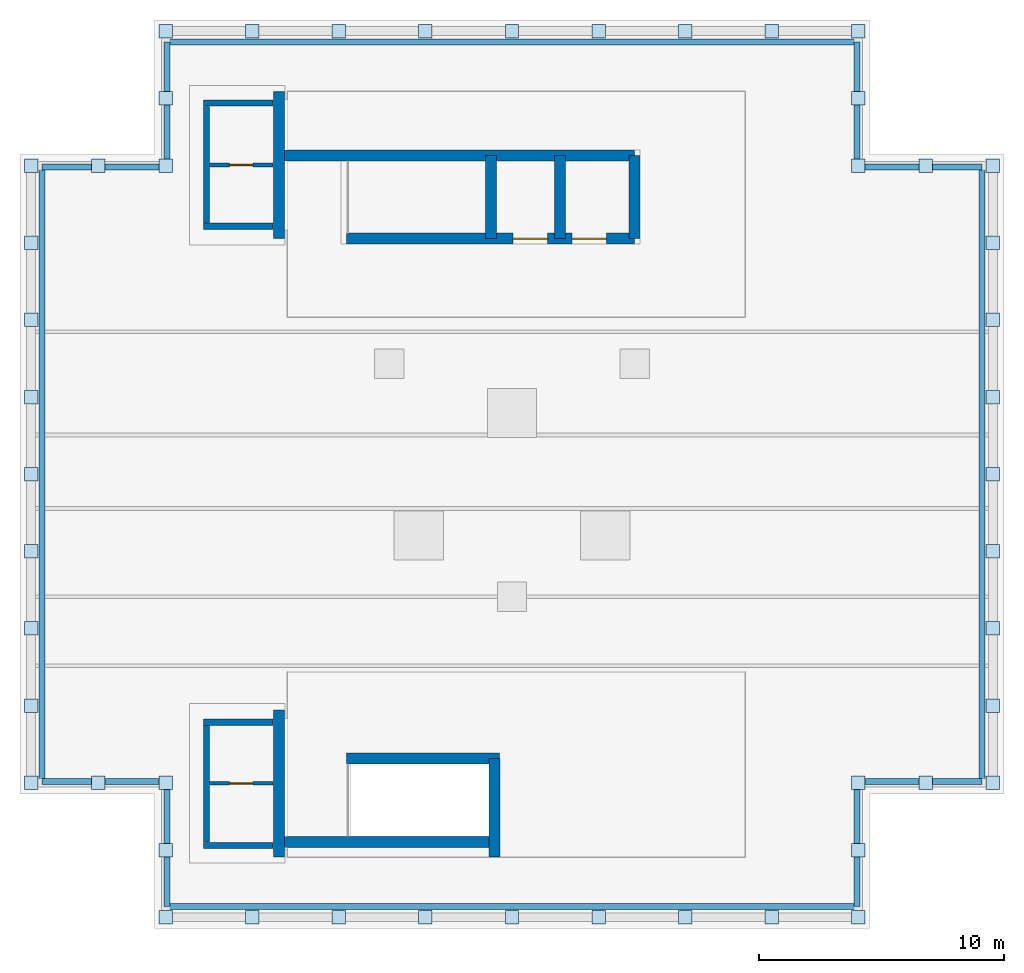
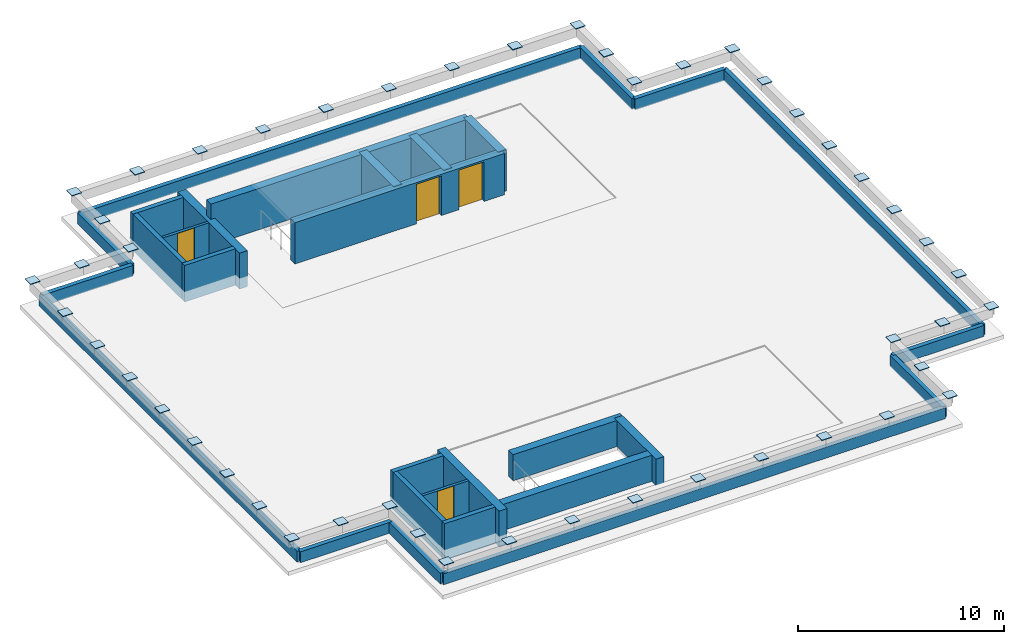
# One storey, part 2 of 3: 48 plates, 30 walls, 4 doors, 4 openings.
"""IFC4 building model written with IfcOpenShell, lengths in metres."""

import ifcopenshell
import ifcopenshell.guid

model = None  # the IFC model being written
_history = None  # IfcOwnerHistory: only IFC2X3 demands one
_inside = {}  # id of a spatial element -> (the spatial element, [elements in it])
_under = {}  # id of a project, library or spatial element -> (it, [spatial elements below it])
_declared = {}  # id of a project -> (the project, [libraries it declares])
_typed = {}  # id of a type object -> (the type object, [elements of that type])
_made_of = {}  # id of a material, layer set ... -> (it, [elements and type objects made of it])


def new_model(schema):
    """Start an empty IFC model of exactly this schema.

    Asked for "IFC4X3", IfcOpenShell would pick the latest addendum, in which some entities
    have other attributes; the version numbers below select the first issue.
    IFC2X3 requires an IfcOwnerHistory on every rooted entity: one is made here for all.
    """
    global model, _history
    if schema == "IFC4X3":
        model = ifcopenshell.file(schema_version=(4, 3, 0, 0))
    else:
        model = ifcopenshell.file(schema=schema)
    _inside.clear()
    _under.clear()
    _declared.clear()
    _typed.clear()
    _made_of.clear()
    _history = None
    if model.schema == "IFC2X3":
        org = make("IfcOrganization", Name="unknown")
        user = make(
            "IfcPersonAndOrganization",
            ThePerson=make("IfcPerson", FamilyName="unknown"),
            TheOrganization=org,
        )
        app = make(
            "IfcApplication",
            ApplicationDeveloper=org,
            Version="unknown",
            ApplicationFullName="unknown",
            ApplicationIdentifier="unknown",
        )
        _history = make(
            "IfcOwnerHistory",
            OwningUser=user,
            OwningApplication=app,
            ChangeAction="ADDED",
            CreationDate=0,
        )
    return model


def make(cls, **values):
    """One entity of the class cls with the attributes given. An attribute that is None is left unset."""
    return model.create_entity(
        cls, **{name: value for name, value in values.items() if value is not None}
    )


def rooted(cls, **values):
    """An entity with a GlobalId (a new one), such as an element, a storey or a relation."""
    return make(cls, GlobalId=ifcopenshell.guid.new(), OwnerHistory=_history, **values)


def si_unit(unit_type, name, prefix=None):
    """IfcSIUnit, for example si_unit("LENGTHUNIT", "METRE", prefix="MILLI")."""
    return make("IfcSIUnit", UnitType=unit_type, Prefix=prefix, Name=name)


def assignment(units):
    """IfcUnitAssignment: the units of a project."""
    return None if units is None else make("IfcUnitAssignment", Units=units)


def point(xyz):
    """IfcCartesianPoint."""
    return None if xyz is None else make("IfcCartesianPoint", Coordinates=xyz)


def direction(xyz):
    """IfcDirection."""
    return None if xyz is None else make("IfcDirection", DirectionRatios=xyz)


def frame(location, z_axis=None, x_axis=None):
    """IfcAxis2Placement3D, a coordinate frame: its origin and axes. An axis left out is left unset."""
    return make(
        "IfcAxis2Placement3D",
        Location=point(location),
        Axis=direction(z_axis),
        RefDirection=direction(x_axis),
    )


def frame_2d(location, x_axis=None):
    """IfcAxis2Placement2D, a coordinate frame in the plane: its origin and x axis."""
    return make(
        "IfcAxis2Placement2D", Location=point(location), RefDirection=direction(x_axis)
    )


def origin():
    """The frame at (0, 0, 0) with its axes left unset."""
    return frame((0.0, 0.0, 0.0))


def origin_2d():
    """The frame at (0, 0) in the plane with its x axis left unset."""
    return frame_2d((0.0, 0.0))


def place(relative_to, where):
    """IfcLocalPlacement: puts the frame where relative to a parent placement (None: the world)."""
    return make(
        "IfcLocalPlacement", PlacementRelTo=relative_to, RelativePlacement=where
    )


def context(
    kind, dimensions, precision=None, world=None, true_north=None, identifier=None
):
    """IfcGeometricRepresentationContext, for example the 3D "Model" context."""
    return make(
        "IfcGeometricRepresentationContext",
        ContextIdentifier=identifier,
        ContextType=kind,
        CoordinateSpaceDimension=dimensions,
        Precision=precision,
        WorldCoordinateSystem=world,
        TrueNorth=true_north,
    )


def subcontext(parent, identifier, kind, view, scale=None):
    """IfcGeometricRepresentationSubContext, for example "Body" below "Model"."""
    return make(
        "IfcGeometricRepresentationSubContext",
        ContextIdentifier=identifier,
        ContextType=kind,
        ParentContext=parent,
        TargetScale=scale,
        TargetView=view,
    )


def project(units=None, contexts=None):
    """IfcProject with its units and contexts."""
    return rooted(
        "IfcProject",
        Name="project",
        RepresentationContexts=contexts,
        UnitsInContext=assignment(units),
    )


def spatial(cls, under=None, at=None, **own):
    """A site, building, storey or space (cls), placed at a placement, below another one or the project."""
    s = rooted(cls, ObjectPlacement=at, **own)
    if under is not None:
        _under.setdefault(under.id(), (under, []))[1].append(s)
    return s


def profile(cls, at=None, kind="AREA", **sizes):
    """A parametric profile (cls). Its sizes go by their IFC names, for example OverallWidth=200.0."""
    return make(cls, ProfileType=kind, Position=at, **sizes)


def rectangle(**sizes):
    """IfcRectangleProfileDef."""
    return profile("IfcRectangleProfileDef", **sizes)


def extrude(swept, where, along, depth):
    """IfcExtrudedAreaSolid: the profile swept, set in the frame where, extruded along a direction by depth."""
    return make(
        "IfcExtrudedAreaSolid",
        SweptArea=swept,
        Position=where,
        ExtrudedDirection=direction(along),
        Depth=depth,
    )


def shape(context_of_items, identifier, shape_type, items):
    """IfcShapeRepresentation: the items that make up one representation, for example the "Body"."""
    return make(
        "IfcShapeRepresentation",
        ContextOfItems=context_of_items,
        RepresentationIdentifier=identifier,
        RepresentationType=shape_type,
        Items=items,
    )


def material(Name=None, Category=None):
    """IfcMaterial."""
    return make("IfcMaterial", Name=Name, Category=Category)


def layer(
    of_material, thickness, ventilated=None, Name=None, Category=None, Priority=None
):
    """IfcMaterialLayer: one layer of a wall or slab, of a material (None: an air gap)."""
    return make(
        "IfcMaterialLayer",
        Material=of_material,
        LayerThickness=thickness,
        IsVentilated=ventilated,
        Name=Name,
        Category=Category,
        Priority=Priority,
    )


def layer_set(layers, Name=None):
    """IfcMaterialLayerSet."""
    return make("IfcMaterialLayerSet", MaterialLayers=layers, LayerSetName=Name)


def made_of(thing, what):
    """Note that an element or type object is made of a material, layer set ...; save() writes the relation."""
    if what is not None:
        _made_of.setdefault(what.id(), (what, []))[1].append(thing)
    return thing


def type_object(cls, material=None, **own):
    """A type object (cls), such as IfcWallType, which elements share."""
    return made_of(rooted(cls, **own), material)


def element(
    cls,
    number,
    at=None,
    inside=None,
    cuts=None,
    type_object=None,
    material=None,
    context=None,
    identifier="Body",
    shape_type=None,
    held_by="IfcProductDefinitionShape",
    body=None,
    shapes=None,
    **own,
):
    """One element of the class cls, such as IfcWall. Its Tag is "e" and its number.

    at: its placement. inside: the storey or other place that contains it. cuts: it is an
    opening in that element (IfcRelVoidsElement). A single representation is given by context,
    identifier, shape_type and body (its items); several are given by shapes. held_by: the class
    of the entity that holds the representations. save() writes the other relations.
    """
    e = rooted(cls, Tag="e%d" % number, ObjectPlacement=at, **own)
    if body is not None:
        shapes = [shape(context, identifier, shape_type, body)]
    if shapes is not None:
        e.Representation = make(held_by, Representations=shapes)
    if inside is not None:
        _inside.setdefault(inside.id(), (inside, []))[1].append(e)
    if cuts is not None:
        rooted(
            "IfcRelVoidsElement", RelatingBuildingElement=cuts, RelatedOpeningElement=e
        )
    if type_object is not None:
        _typed.setdefault(type_object.id(), (type_object, []))[1].append(e)
    return made_of(e, material)


def fill(opening, filler):
    """IfcRelFillsElement: the door or window that sits in an opening."""
    return rooted(
        "IfcRelFillsElement",
        RelatingOpeningElement=opening,
        RelatedBuildingElement=filler,
    )


def aggregate(whole, parts):
    """IfcRelAggregates: a whole, such as a stair, and the parts it consists of."""
    return rooted("IfcRelAggregates", RelatingObject=whole, RelatedObjects=parts)


def save(model, path):
    """Write the relations noted so far, then the file.

    IfcRelAggregates (storeys below a building ...), IfcRelContainedInSpatialStructure (elements
    in a storey), IfcRelDefinesByType, IfcRelAssociatesMaterial and IfcRelDeclares: one each for
    every whole, place, type object, material and project.
    """
    for whole, parts in _under.values():
        aggregate(whole, parts)
    for where, things in _inside.values():
        rooted(
            "IfcRelContainedInSpatialStructure",
            RelatedElements=things,
            RelatingStructure=where,
        )
    for kind, things in _typed.values():
        rooted("IfcRelDefinesByType", RelatedObjects=things, RelatingType=kind)
    for what, things in _made_of.values():
        rooted("IfcRelAssociatesMaterial", RelatedObjects=things, RelatingMaterial=what)
    for by, libraries in _declared.values():
        rooted("IfcRelDeclares", RelatingContext=by, RelatedDefinitions=libraries)
    model.write(path)


model = new_model("IFC4")

# Units and contexts
model_context = context("Model", 3, precision=1e-05, world=origin(), true_north=direction((0.0, 1.0)))
body_context = subcontext(model_context, "Body", "Model", "MODEL_VIEW")
ifc_project = project(units=[si_unit("LENGTHUNIT", "METRE"), si_unit("AREAUNIT", "SQUARE_METRE"), si_unit("VOLUMEUNIT", "CUBIC_METRE"), si_unit("PLANEANGLEUNIT", "RADIAN"), si_unit("MASSUNIT", "GRAM", prefix="KILO")], contexts=[model_context])

# Site, building, storey
site_placement = place(None, origin())
site = spatial("IfcSite", under=ifc_project, at=site_placement, CompositionType="ELEMENT")
building_placement = place(site_placement, origin())
building = spatial("IfcBuilding", under=site, at=building_placement, Name="Mirazonda Arch Towers", CompositionType="ELEMENT")
storey_placement = place(building_placement, frame((0.0, 0.0, 276.5)))
storey = spatial("IfcBuildingStorey", under=building, at=storey_placement, Name="RF", CompositionType="ELEMENT", Elevation=276.5)

# Plates
ifc_material_1 = material(Name="Steel ASTM A572 Grade 50", Category="steel")
ifc_layer_1 = layer(ifc_material_1, 0.030029296875, Name="PLATE-CAP-550x550x30")
ifc_layer_set_1 = layer_set([ifc_layer_1], Name="Steel ASTM A572 Grade 50")
plate_type = type_object("IfcPlateType", Name="PLATE-CAP-550x550x30", PredefinedType="USERDEFINED", material=ifc_layer_set_1)
for number, where, z_axis, x_axis, name in (
    (1, (6.385009765625, 9.93994140625, 1.587890625), (0.0, 0.0, 1.0), (1.0, 0.0, 0.0), "Steel end closure plate NP-CRN-T1-P01T"),
    (2, (9.913818359375, 9.93994140625, 1.587890625), (0.0, 0.0, 1.0), (1.0, 0.0, 0.0), "Steel end closure plate NP-CRN-T1-P02T"),
    (3, (13.4423828125, 9.93994140625, 1.587890625), (0.0, 0.0, 1.0), (1.0, 0.0, 0.0), "Steel end closure plate NP-CRN-T1-P03T"),
    (4, (16.97119140625, 9.93994140625, 1.587890625), (0.0, 0.0, 1.0), (1.0, 0.0, 0.0), "Steel end closure plate NP-CRN-T1-P04T"),
    (5, (20.5, 9.93994140625, 1.587890625), (0.0, 0.0, 1.0), (1.0, 0.0, 0.0), "Steel end closure plate NP-CRN-T1-P05T"),
    (6, (24.02880859375, 9.93994140625, 1.587890625), (0.0, 0.0, 1.0), (1.0, 0.0, 0.0), "Steel end closure plate NP-CRN-T1-P06T"),
    (7, (27.5576171875, 9.93994140625, 1.587890625), (0.0, 0.0, 1.0), (1.0, 0.0, 0.0), "Steel end closure plate NP-CRN-T1-P07T"),
    (8, (31.086181640625, 9.93994140625, 1.587890625), (0.0, 0.0, 1.0), (1.0, 0.0, 0.0), "Steel end closure plate NP-CRN-T1-P08T"),
    (9, (34.614990234375, 9.93994140625, 1.587890625), (0.0, 0.0, 1.0), (1.0, 0.0, 0.0), "Steel end closure plate NP-CRN-T1-P09T"),
    (10, (34.614990234375, 12.6826171875, 1.587890625), (0.0, 0.0, 1.0), (1.0, 0.0, 0.0), "Steel end closure plate NP-CRN-T1-P10T"),
    (11, (34.614990234375, 15.425048828125, 1.587890625), (0.0, 0.0, 1.0), (1.0, 0.0, 0.0), "Steel end closure plate NP-CRN-T1-P11T"),
    (12, (37.357421875, 15.425048828125, 1.587890625), (0.0, 0.0, 1.0), (1.0, 0.0, 0.0), "Steel end closure plate NP-CRN-T1-P12T"),
    (13, (40.10009765625, 15.425048828125, 1.587890625), (0.0, 0.0, 1.0), (1.0, 0.0, 0.0), "Steel end closure plate NP-CRN-T1-P13T"),
    (14, (40.10009765625, 18.56884765625, 1.587890625), (0.0, 0.0, 1.0), (1.0, 0.0, 0.0), "Steel end closure plate NP-CRN-T1-P14T"),
    (15, (40.10009765625, 21.71240234375, 1.587890625), (0.0, 0.0, 1.0), (1.0, 0.0, 0.0), "Steel end closure plate NP-CRN-T1-P15T"),
    (16, (40.10009765625, 24.856201171875, 1.587890625), (0.0, 0.0, 1.0), (1.0, 0.0, 0.0), "Steel end closure plate NP-CRN-T1-P16T"),
    (17, (40.10009765625, 28.0, 1.587890625), (0.0, 0.0, 1.0), (1.0, 0.0, 0.0), "Steel end closure plate NP-CRN-T1-P17T"),
    (18, (40.10009765625, 31.143798828125, 1.587890625), (0.0, 0.0, 1.0), (1.0, 0.0, 0.0), "Steel end closure plate NP-CRN-T1-P18T"),
    (19, (40.10009765625, 34.28759765625, 1.587890625), (0.0, 0.0, 1.0), (1.0, 0.0, 0.0), "Steel end closure plate NP-CRN-T1-P19T"),
    (20, (40.10009765625, 37.431396484375, 1.587890625), (0.0, 0.0, 1.0), (1.0, 0.0, 0.0), "Steel end closure plate NP-CRN-T1-P20T"),
    (21, (40.10009765625, 40.574951171875, 1.587890625), (0.0, 0.0, 1.0), (1.0, 0.0, 0.0), "Steel end closure plate NP-CRN-T1-P21T"),
    (22, (37.357421875, 40.574951171875, 1.587890625), (0.0, 0.0, 1.0), (1.0, 0.0, 0.0), "Steel end closure plate NP-CRN-T1-P22T"),
    (23, (34.614990234375, 40.574951171875, 1.587890625), (0.0, 0.0, 1.0), (1.0, 0.0, 0.0), "Steel end closure plate NP-CRN-T1-P23T"),
    (24, (34.614990234375, 43.3173828125, 1.587890625), (0.0, 0.0, 1.0), (1.0, 0.0, 0.0), "Steel end closure plate NP-CRN-T1-P24T"),
    (25, (34.614990234375, 46.06005859375, 1.587890625), (0.0, 0.0, 1.0), (1.0, 0.0, 0.0), "Steel end closure plate NP-CRN-T1-P25T"),
    (26, (31.086181640625, 46.06005859375, 1.587890625), (0.0, 0.0, 1.0), (1.0, 0.0, 0.0), "Steel end closure plate NP-CRN-T1-P26T"),
    (27, (27.5576171875, 46.06005859375, 1.587890625), (0.0, 0.0, 1.0), (1.0, 0.0, 0.0), "Steel end closure plate NP-CRN-T1-P27T"),
    (28, (24.02880859375, 46.06005859375, 1.587890625), (0.0, 0.0, 1.0), (1.0, 0.0, 0.0), "Steel end closure plate NP-CRN-T1-P28T"),
    (29, (20.5, 46.06005859375, 1.587890625), (0.0, 0.0, 1.0), (1.0, 0.0, 0.0), "Steel end closure plate NP-CRN-T1-P29T"),
    (30, (16.97119140625, 46.06005859375, 1.587890625), (0.0, 0.0, 1.0), (1.0, 0.0, 0.0), "Steel end closure plate NP-CRN-T1-P30T"),
    (31, (13.4423828125, 46.06005859375, 1.587890625), (0.0, 0.0, 1.0), (1.0, 0.0, 0.0), "Steel end closure plate NP-CRN-T1-P31T"),
    (32, (9.913818359375, 46.06005859375, 1.587890625), (0.0, 0.0, 1.0), (1.0, 0.0, 0.0), "Steel end closure plate NP-CRN-T1-P32T"),
    (33, (6.385009765625, 46.06005859375, 1.587890625), (0.0, 0.0, 1.0), (1.0, 0.0, 0.0), "Steel end closure plate NP-CRN-T1-P33T"),
    (34, (6.385009765625, 43.3173828125, 1.587890625), (0.0, 0.0, 1.0), (1.0, 0.0, 0.0), "Steel end closure plate NP-CRN-T1-P34T"),
    (35, (6.385009765625, 40.574951171875, 1.587890625), (0.0, 0.0, 1.0), (1.0, 0.0, 0.0), "Steel end closure plate NP-CRN-T1-P35T"),
    (36, (3.642578125, 40.574951171875, 1.587890625), (0.0, 0.0, 1.0), (1.0, 0.0, 0.0), "Steel end closure plate NP-CRN-T1-P36T"),
    (37, (0.89990234375, 40.574951171875, 1.587890625), (0.0, 0.0, 1.0), (1.0, 0.0, 0.0), "Steel end closure plate NP-CRN-T1-P37T"),
    (38, (0.89990234375, 37.431396484375, 1.587890625), (0.0, 0.0, 1.0), (1.0, 0.0, 0.0), "Steel end closure plate NP-CRN-T1-P38T"),
    (39, (0.89990234375, 34.28759765625, 1.587890625), (0.0, 0.0, 1.0), (1.0, 0.0, 0.0), "Steel end closure plate NP-CRN-T1-P39T"),
    (40, (0.89990234375, 31.143798828125, 1.587890625), (0.0, 0.0, 1.0), (1.0, 0.0, 0.0), "Steel end closure plate NP-CRN-T1-P40T"),
    (41, (0.89990234375, 28.0, 1.587890625), (0.0, 0.0, 1.0), (1.0, 0.0, 0.0), "Steel end closure plate NP-CRN-T1-P41T"),
    (42, (0.89990234375, 24.856201171875, 1.587890625), (0.0, 0.0, 1.0), (1.0, 0.0, 0.0), "Steel end closure plate NP-CRN-T1-P42T"),
    (43, (0.89990234375, 21.71240234375, 1.587890625), (0.0, 0.0, 1.0), (1.0, 0.0, 0.0), "Steel end closure plate NP-CRN-T1-P43T"),
    (44, (0.89990234375, 18.56884765625, 1.587890625), (0.0, 0.0, 1.0), (1.0, 0.0, 0.0), "Steel end closure plate NP-CRN-T1-P44T"),
    (45, (0.89990234375, 15.425048828125, 1.587890625), (0.0, 0.0, 1.0), (1.0, 0.0, 0.0), "Steel end closure plate NP-CRN-T1-P45T"),
    (46, (3.642578125, 15.425048828125, 1.587890625), (0.0, 0.0, 1.0), (1.0, 0.0, 0.0), "Steel end closure plate NP-CRN-T1-P46T"),
    (47, (6.385009765625, 15.425048828125, 1.587890625), (0.0, 0.0, 1.0), (1.0, 0.0, 0.0), "Steel end closure plate NP-CRN-T1-P47T"),
    (48, (6.385009765625, 12.6826171875, 1.587890625), (0.0, 0.0, 1.0), (1.0, 0.0, 0.0), "Steel end closure plate NP-CRN-T1-P48T"),
):
    element("IfcPlate", number, at=place(storey_placement, frame(where, z_axis=z_axis, x_axis=x_axis)), inside=storey, type_object=plate_type, Name=name, ObjectType="CAP PLATE", PredefinedType="USERDEFINED", context=body_context, shape_type="SweptSolid", body=[
        extrude(rectangle(XDim=0.550048828125, YDim=0.550048828125, at=origin_2d()), origin(), (0.0, 0.0, 1.0), 0.0400390625),
    ])

# Wall, openings, doors
ifc_material_2 = material(Name="Concrete C50/60", Category="concrete")
ifc_layer_2 = layer(ifc_material_2, 0.449951171875, Name="WALL-CORE-450")
ifc_layer_set_2 = layer_set([ifc_layer_2], Name="Concrete C50/60")
wall_type_1 = type_object("IfcWallType", Name="WALL-CORE-450", PredefinedType="SHEAR", material=ifc_layer_set_2)
wall_1_placement = place(storey_placement, frame((13.75, 37.60009765625, 0.0), z_axis=(0.0, 0.0, 1.0), x_axis=(1.0, 0.0, 0.0)))
wall_1 = element("IfcWall", 49, at=wall_1_placement, inside=storey, type_object=wall_type_1, Name="RF T1N-S Core Curb Shear Wall", PredefinedType="SHEAR", context=body_context, shape_type="SweptSolid", body=[
    extrude(rectangle(XDim=11.75, YDim=0.449951171875, at=frame_2d((5.875, 0.0))), origin(), (0.0, 0.0, 1.0), 2.449951171875),
])
opening_1_placement = place(wall_1_placement, frame((6.800048828125, 0.0, 0.0)))
opening_1 = element("IfcOpeningElement", 50, at=opening_1_placement, cuts=wall_1, Name="Opening LD-112", PredefinedType="OPENING", context=body_context, shape_type="SweptSolid", body=[
    extrude(rectangle(XDim=1.39990234375, YDim=2.35009765625, at=frame_2d((0.699951171875, 1.175048828125))), frame((0.0, 0.23486328125, 0.0), z_axis=(0.0, -1.0, 0.0), x_axis=(1.0, 0.0, 0.0)), (0.0, 0.0, 1.0), 0.469970703125),
])
opening_2_placement = place(wall_1_placement, frame((9.199951171875, 0.0, 0.0)))
opening_2 = element("IfcOpeningElement", 51, at=opening_2_placement, cuts=wall_1, Name="Opening LD-112", PredefinedType="OPENING", context=body_context, shape_type="SweptSolid", body=[
    extrude(rectangle(XDim=1.39990234375, YDim=2.35009765625, at=frame_2d((0.699951171875, 1.175048828125))), frame((0.0, 0.23486328125, 0.0), z_axis=(0.0, -1.0, 0.0), x_axis=(1.0, 0.0, 0.0)), (0.0, 0.0, 1.0), 0.469970703125),
])
ifc_material_3 = material(Name="Architectural Brushed Steel S355", Category="steel")
door_type_1 = type_object("IfcDoorType", Name="DOOR-LIFT-FFL-1400", OperationType="NOTDEFINED", PredefinedType="DOOR", material=ifc_material_3)
door_1_placement = place(opening_1_placement, origin())
door_1 = element("IfcDoor", 52, at=door_1_placement, inside=storey, type_object=door_type_1, Name="RF Lift Landing Sliding Door FFL-T1", OperationType="DOUBLE_DOOR_SLIDING", OverallHeight=2.35009765625, OverallWidth=1.39990234375, PredefinedType="DOOR", context=body_context, shape_type="SweptSolid", body=[
    extrude(rectangle(XDim=1.39990234375, YDim=2.35009765625, at=frame_2d((0.699951171875, 1.175048828125))), frame((0.0, 0.02490234375, 0.0), z_axis=(0.0, -1.0, 0.0), x_axis=(1.0, 0.0, 0.0)), (0.0, 0.0, 1.0), 0.050048828125),
])
fill(opening_1, door_1)
door_2_placement = place(opening_2_placement, origin())
door_2 = element("IfcDoor", 53, at=door_2_placement, inside=storey, type_object=door_type_1, Name="RF Lift Landing Sliding Door SVL-T1", OperationType="DOUBLE_DOOR_SLIDING", OverallHeight=2.35009765625, OverallWidth=1.39990234375, PredefinedType="DOOR", context=body_context, shape_type="SweptSolid", body=[
    extrude(rectangle(XDim=1.39990234375, YDim=2.35009765625, at=frame_2d((0.699951171875, 1.175048828125))), frame((0.0, 0.02490234375, 0.0), z_axis=(0.0, -1.0, 0.0), x_axis=(1.0, 0.0, 0.0)), (0.0, 0.0, 1.0), 0.050048828125),
])
fill(opening_2, door_2)

# Walls
wall_2_placement = place(storey_placement, frame((11.0, 40.992919921875, 0.0), z_axis=(0.0, 0.0, 1.0), x_axis=(1.0, 0.0, 0.0)))
element("IfcWall", 54, at=wall_2_placement, inside=storey, type_object=wall_type_1, Name="RF T1N-STN Core Curb Shear Wall", PredefinedType="SHEAR", context=body_context, shape_type="SweptSolid", body=[
    extrude(rectangle(XDim=14.5, YDim=0.449951171875, at=frame_2d((7.25, 0.0))), origin(), (0.0, 0.0, 1.0), 2.449951171875),
])
for number, where, z_axis, x_axis, name in (
    (55, (19.64990234375, 37.60009765625, 0.0), (0.0, 0.0, 1.0), (0.0, 1.0, 0.0), "RF T1N-STE Core Curb Shear Wall"),
    (56, (25.5, 37.60009765625, 0.0), (0.0, 0.0, 1.0), (0.0, 1.0, 0.0), "RF T1N-LE Core Curb Shear Wall"),
    (57, (22.449951171875, 37.60009765625, 0.0), (0.0, 0.0, 1.0), (0.0, 1.0, 0.0), "RF T1N-LDIV Core Curb Shear Wall"),
):
    element("IfcWall", number, at=place(storey_placement, frame(where, z_axis=z_axis, x_axis=x_axis)), inside=storey, type_object=wall_type_1, Name=name, PredefinedType="SHEAR", context=body_context, shape_type="SweptSolid", body=[
        extrude(rectangle(XDim=3.392822265625, YDim=0.449951171875, at=frame_2d((1.6962890625, 0.0))), origin(), (0.0, 0.0, 1.0), 2.449951171875),
    ])
wall_3_placement = place(storey_placement, frame((11.0, 37.60009765625, -0.580078125), z_axis=(0.0, 0.0, 1.0), x_axis=(0.0, 1.0, 0.0)))
element("IfcWall", 58, at=wall_3_placement, inside=storey, type_object=wall_type_1, Name="RF T1N-W Core Curb Shear Wall", PredefinedType="SHEAR", context=body_context, shape_type="SweptSolid", body=[
    extrude(rectangle(XDim=6.0, YDim=0.449951171875, at=frame_2d((3.0, 0.0))), origin(), (0.0, 0.0, 1.0), 2.130126953125),
])
wall_4_placement = place(storey_placement, frame((11.0, 13.02001953125, 0.0), z_axis=(0.0, 0.0, 1.0), x_axis=(1.0, 0.0, 0.0)))
element("IfcWall", 59, at=wall_4_placement, inside=storey, type_object=wall_type_1, Name="RF T1S-S Core Curb Shear Wall", PredefinedType="SHEAR", context=body_context, shape_type="SweptSolid", body=[
    extrude(rectangle(XDim=9.0, YDim=0.449951171875, at=frame_2d((4.5, 0.0))), origin(), (0.0, 0.0, 1.0), 1.550048828125),
])
wall_5_placement = place(storey_placement, frame((13.75, 16.419921875, 0.0), z_axis=(0.0, 0.0, 1.0), x_axis=(1.0, 0.0, 0.0)))
element("IfcWall", 60, at=wall_5_placement, inside=storey, type_object=wall_type_1, Name="RF T1S-STN Core Curb Shear Wall", PredefinedType="SHEAR", context=body_context, shape_type="SweptSolid", body=[
    extrude(rectangle(XDim=6.25, YDim=0.449951171875, at=frame_2d((3.125, 0.0))), origin(), (0.0, 0.0, 1.0), 1.550048828125),
])
wall_6_placement = place(storey_placement, frame((19.780029296875, 12.39990234375, 0.0), z_axis=(0.0, 0.0, 1.0), x_axis=(0.0, 1.0, 0.0)))
element("IfcWall", 61, at=wall_6_placement, inside=storey, type_object=wall_type_1, Name="RF T1S-STE Core Curb Shear Wall", PredefinedType="SHEAR", context=body_context, shape_type="SweptSolid", body=[
    extrude(rectangle(XDim=4.02001953125, YDim=0.449951171875, at=frame_2d((2.010009765625, 0.0))), origin(), (0.0, 0.0, 1.0), 1.550048828125),
])
wall_7_placement = place(storey_placement, frame((11.0, 12.39990234375, -0.580078125), z_axis=(0.0, 0.0, 1.0), x_axis=(0.0, 1.0, 0.0)))
element("IfcWall", 62, at=wall_7_placement, inside=storey, type_object=wall_type_1, Name="RF T1S-W Core Curb Shear Wall", PredefinedType="SHEAR", context=body_context, shape_type="SweptSolid", body=[
    extrude(rectangle(XDim=6.0, YDim=0.449951171875, at=frame_2d((3.0, 0.0))), origin(), (0.0, 0.0, 1.0), 2.130126953125),
])
ifc_material_4 = material(Name="Concrete C40/50", Category="concrete")
ifc_layer_3 = layer(ifc_material_4, 0.239990234375, Name="WALL-PARAPET-240")
ifc_layer_set_3 = layer_set([ifc_layer_3], Name="Concrete C40/50")
wall_type_2 = type_object("IfcWallType", Name="WALL-PARAPET-240", PredefinedType="PARAPET", material=ifc_layer_set_3)
wall_8_placement = place(storey_placement, frame((6.43505859375, 10.389892578125, 0.0), z_axis=(0.0, 0.0, 1.0), x_axis=(1.0, 0.0, 0.0)))
element("IfcWall", 63, at=wall_8_placement, inside=storey, type_object=wall_type_2, Name="T1 Crown Roof Maintenance Parapet 01", PredefinedType="PARAPET", context=body_context, shape_type="SweptSolid", body=[
    extrude(rectangle(XDim=28.1298828125, YDim=0.239990234375, at=frame_2d((14.06494140625, 0.0))), origin(), (0.0, 0.0, 1.0), 0.64990234375),
])
wall_9_placement = place(storey_placement, frame((34.56494140625, 10.389892578125, 0.0), z_axis=(0.0, 0.0, 1.0), x_axis=(0.0, 1.0, 0.0)))
element("IfcWall", 64, at=wall_9_placement, inside=storey, type_object=wall_type_2, Name="T1 Crown Roof Maintenance Parapet 02", PredefinedType="PARAPET", context=body_context, shape_type="SweptSolid", body=[
    extrude(rectangle(XDim=5.085205078125, YDim=0.239990234375, at=frame_2d((2.54248046875, 0.0))), origin(), (0.0, 0.0, 1.0), 0.64990234375),
])
wall_10_placement = place(storey_placement, frame((34.56494140625, 15.47509765625, 0.0), z_axis=(0.0, 0.0, 1.0), x_axis=(1.0, 0.0, 0.0)))
element("IfcWall", 65, at=wall_10_placement, inside=storey, type_object=wall_type_2, Name="T1 Crown Roof Maintenance Parapet 03", PredefinedType="PARAPET", context=body_context, shape_type="SweptSolid", body=[
    extrude(rectangle(XDim=5.0849609375, YDim=0.239990234375, at=frame_2d((2.54248046875, 0.0))), origin(), (0.0, 0.0, 1.0), 0.64990234375),
])
wall_11_placement = place(storey_placement, frame((39.64990234375, 15.47509765625, 0.0), z_axis=(0.0, 0.0, 1.0), x_axis=(0.0, 1.0, 0.0)))
element("IfcWall", 66, at=wall_11_placement, inside=storey, type_object=wall_type_2, Name="T1 Crown Roof Maintenance Parapet 04", PredefinedType="PARAPET", context=body_context, shape_type="SweptSolid", body=[
    extrude(rectangle(XDim=25.0498046875, YDim=0.239990234375, at=frame_2d((12.52490234375, 0.0))), origin(), (0.0, 0.0, 1.0), 0.64990234375),
])
wall_12_placement = place(storey_placement, frame((39.64990234375, 40.52490234375, 0.0), z_axis=(0.0, 0.0, 1.0), x_axis=(-1.0, 0.0, 0.0)))
element("IfcWall", 67, at=wall_12_placement, inside=storey, type_object=wall_type_2, Name="T1 Crown Roof Maintenance Parapet 05", PredefinedType="PARAPET", context=body_context, shape_type="SweptSolid", body=[
    extrude(rectangle(XDim=5.0849609375, YDim=0.239990234375, at=frame_2d((2.54248046875, 0.0))), origin(), (0.0, 0.0, 1.0), 0.64990234375),
])
wall_13_placement = place(storey_placement, frame((34.56494140625, 40.52490234375, 0.0), z_axis=(0.0, 0.0, 1.0), x_axis=(0.0, 1.0, 0.0)))
element("IfcWall", 68, at=wall_13_placement, inside=storey, type_object=wall_type_2, Name="T1 Crown Roof Maintenance Parapet 06", PredefinedType="PARAPET", context=body_context, shape_type="SweptSolid", body=[
    extrude(rectangle(XDim=5.085205078125, YDim=0.239990234375, at=frame_2d((2.54248046875, 0.0))), origin(), (0.0, 0.0, 1.0), 0.64990234375),
])
wall_14_placement = place(storey_placement, frame((34.56494140625, 45.610107421875, 0.0), z_axis=(0.0, 0.0, 1.0), x_axis=(-1.0, 0.0, 0.0)))
element("IfcWall", 69, at=wall_14_placement, inside=storey, type_object=wall_type_2, Name="T1 Crown Roof Maintenance Parapet 07", PredefinedType="PARAPET", context=body_context, shape_type="SweptSolid", body=[
    extrude(rectangle(XDim=28.1298828125, YDim=0.239990234375, at=frame_2d((14.06494140625, 0.0))), origin(), (0.0, 0.0, 1.0), 0.64990234375),
])
wall_15_placement = place(storey_placement, frame((6.43505859375, 45.610107421875, 0.0), z_axis=(0.0, 0.0, 1.0), x_axis=(0.0, -1.0, 0.0)))
element("IfcWall", 70, at=wall_15_placement, inside=storey, type_object=wall_type_2, Name="T1 Crown Roof Maintenance Parapet 08", PredefinedType="PARAPET", context=body_context, shape_type="SweptSolid", body=[
    extrude(rectangle(XDim=5.085205078125, YDim=0.239990234375, at=frame_2d((2.54248046875, 0.0))), origin(), (0.0, 0.0, 1.0), 0.64990234375),
])
wall_16_placement = place(storey_placement, frame((6.43505859375, 40.52490234375, 0.0), z_axis=(0.0, 0.0, 1.0), x_axis=(-1.0, 0.0, 0.0)))
element("IfcWall", 71, at=wall_16_placement, inside=storey, type_object=wall_type_2, Name="T1 Crown Roof Maintenance Parapet 09", PredefinedType="PARAPET", context=body_context, shape_type="SweptSolid", body=[
    extrude(rectangle(XDim=5.0849609375, YDim=0.239990234375, at=frame_2d((2.54248046875, 0.0))), origin(), (0.0, 0.0, 1.0), 0.64990234375),
])
wall_17_placement = place(storey_placement, frame((1.35009765625, 40.52490234375, 0.0), z_axis=(0.0, 0.0, 1.0), x_axis=(0.0, -1.0, 0.0)))
element("IfcWall", 72, at=wall_17_placement, inside=storey, type_object=wall_type_2, Name="T1 Crown Roof Maintenance Parapet 10", PredefinedType="PARAPET", context=body_context, shape_type="SweptSolid", body=[
    extrude(rectangle(XDim=25.0498046875, YDim=0.239990234375, at=frame_2d((12.52490234375, 0.0))), origin(), (0.0, 0.0, 1.0), 0.64990234375),
])
wall_18_placement = place(storey_placement, frame((1.35009765625, 15.47509765625, 0.0), z_axis=(0.0, 0.0, 1.0), x_axis=(1.0, 0.0, 0.0)))
element("IfcWall", 73, at=wall_18_placement, inside=storey, type_object=wall_type_2, Name="T1 Crown Roof Maintenance Parapet 11", PredefinedType="PARAPET", context=body_context, shape_type="SweptSolid", body=[
    extrude(rectangle(XDim=5.0849609375, YDim=0.239990234375, at=frame_2d((2.54248046875, 0.0))), origin(), (0.0, 0.0, 1.0), 0.64990234375),
])
wall_19_placement = place(storey_placement, frame((6.43505859375, 15.47509765625, 0.0), z_axis=(0.0, 0.0, 1.0), x_axis=(0.0, -1.0, 0.0)))
element("IfcWall", 74, at=wall_19_placement, inside=storey, type_object=wall_type_2, Name="T1 Crown Roof Maintenance Parapet 12", PredefinedType="PARAPET", context=body_context, shape_type="SweptSolid", body=[
    extrude(rectangle(XDim=5.085205078125, YDim=0.239990234375, at=frame_2d((2.54248046875, 0.0))), origin(), (0.0, 0.0, 1.0), 0.64990234375),
])

# Wall, opening, door
ifc_material_5 = material(Name="Fire-Rated Gypsum Stud Partition")
ifc_layer_4 = layer(ifc_material_5, 0.14990234375, Name="WALL-PART-CORR-150")
ifc_layer_set_4 = layer_set([ifc_layer_4], Name="Fire-Rated Gypsum Stud Partition")
wall_type_3 = type_object("IfcWallType", Name="WALL-PART-CORR-150", PredefinedType="PARTITIONING", material=ifc_layer_set_4)
wall_20_placement = place(storey_placement, frame((8.179931640625, 40.60009765625, -0.580078125), z_axis=(0.0, 0.0, 1.0), x_axis=(1.0, 0.0, 0.0)))
wall_20 = element("IfcWall", 75, at=wall_20_placement, inside=storey, type_object=wall_type_3, Name="RF N Stair Maintenance Vestibule Partition", PredefinedType="PARTITIONING", context=body_context, shape_type="SweptSolid", body=[
    extrude(rectangle(XDim=2.580078125, YDim=0.14990234375, at=frame_2d((1.2900390625, 0.0))), origin(), (0.0, 0.0, 1.0), 2.170166015625),
])
opening_3_placement = place(wall_20_placement, frame((0.81494140625, 0.0, 0.0)))
opening_3 = element("IfcOpeningElement", 76, at=opening_3_placement, cuts=wall_20, Name="Opening DR-104", PredefinedType="OPENING", context=body_context, shape_type="SweptSolid", body=[
    extrude(rectangle(XDim=0.949951171875, YDim=2.14990234375, at=frame_2d((0.47509765625, 1.074951171875))), frame((0.0, 0.0849609375, 0.0), z_axis=(0.0, -1.0, 0.0), x_axis=(1.0, 0.0, 0.0)), (0.0, 0.0, 1.0), 0.169921875),
])
door_type_2 = type_object("IfcDoorType", Name="DOOR-ROOM-950", OperationType="NOTDEFINED", PredefinedType="DOOR", material=ifc_material_3)
door_3_placement = place(opening_3_placement, origin())
door_3 = element("IfcDoor", 77, at=door_3_placement, inside=storey, type_object=door_type_2, Name="RF N Stair Maintenance Access Door", OperationType="SINGLE_SWING_LEFT", OverallHeight=2.14990234375, OverallWidth=0.949951171875, PredefinedType="DOOR", context=body_context, shape_type="SweptSolid", body=[
    extrude(rectangle(XDim=0.949951171875, YDim=2.14990234375, at=frame_2d((0.47509765625, 1.074951171875))), frame((0.0, 0.02490234375, 0.0), z_axis=(0.0, -1.0, 0.0), x_axis=(1.0, 0.0, 0.0)), (0.0, 0.0, 1.0), 0.050048828125),
])
fill(opening_3, door_3)

wall_21_placement = place(storey_placement, frame((8.179931640625, 15.39990234375, -0.580078125), z_axis=(0.0, 0.0, 1.0), x_axis=(1.0, 0.0, 0.0)))
wall_21 = element("IfcWall", 78, at=wall_21_placement, inside=storey, type_object=wall_type_3, Name="RF S Stair Maintenance Vestibule Partition", PredefinedType="PARTITIONING", context=body_context, shape_type="SweptSolid", body=[
    extrude(rectangle(XDim=2.580078125, YDim=0.14990234375, at=frame_2d((1.2900390625, 0.0))), origin(), (0.0, 0.0, 1.0), 2.170166015625),
])
opening_4_placement = place(wall_21_placement, frame((0.81494140625, 0.0, 0.0)))
opening_4 = element("IfcOpeningElement", 79, at=opening_4_placement, cuts=wall_21, Name="Opening DR-104", PredefinedType="OPENING", context=body_context, shape_type="SweptSolid", body=[
    extrude(rectangle(XDim=0.949951171875, YDim=2.14990234375, at=frame_2d((0.47509765625, 1.074951171875))), frame((0.0, 0.0849609375, 0.0), z_axis=(0.0, -1.0, 0.0), x_axis=(1.0, 0.0, 0.0)), (0.0, 0.0, 1.0), 0.169921875),
])
door_4_placement = place(opening_4_placement, origin())
door_4 = element("IfcDoor", 80, at=door_4_placement, inside=storey, type_object=door_type_2, Name="RF S Stair Maintenance Access Door", OperationType="SINGLE_SWING_RIGHT", OverallHeight=2.14990234375, OverallWidth=0.949951171875, PredefinedType="DOOR", context=body_context, shape_type="SweptSolid", body=[
    extrude(rectangle(XDim=0.949951171875, YDim=2.14990234375, at=frame_2d((0.47509765625, 1.074951171875))), frame((0.0, 0.02490234375, 0.0), z_axis=(0.0, -1.0, 0.0), x_axis=(1.0, 0.0, 0.0)), (0.0, 0.0, 1.0), 0.050048828125),
])
fill(opening_4, door_4)

# Walls
ifc_layer_5 = layer(ifc_material_4, 0.25, Name="WALL-SHAFT-250")
ifc_layer_set_5 = layer_set([ifc_layer_5], Name="Concrete C40/50")
wall_type_4 = type_object("IfcWallType", Name="WALL-SHAFT-250", PredefinedType="SOLIDWALL", material=ifc_layer_set_5)
for number, where, z_axis, x_axis, name in (
    (81, (7.9208984375, 38.10595703125, -0.580078125), (0.0, 0.0, 1.0), (1.0, 0.0, 0.0), "RF N Stair Maintenance Vestibule Wall S"),
    (82, (7.9208984375, 43.1240234375, -0.580078125), (0.0, 0.0, 1.0), (1.0, 0.0, 0.0), "RF N Stair Maintenance Vestibule Wall N"),
):
    element("IfcWall", number, at=place(storey_placement, frame(where, z_axis=z_axis, x_axis=x_axis)), inside=storey, type_object=wall_type_4, Name=name, PredefinedType="SOLIDWALL", context=body_context, shape_type="SweptSolid", body=[
        extrude(rectangle(XDim=2.839111328125, YDim=0.25, at=frame_2d((1.41943359375, 0.0))), origin(), (0.0, 0.0, 1.0), 2.170166015625),
    ])
wall_22_placement = place(storey_placement, frame((8.0458984375, 38.235107421875, -0.580078125), z_axis=(0.0, 0.0, 1.0), x_axis=(0.0, 1.0, 0.0)))
element("IfcWall", 83, at=wall_22_placement, inside=storey, type_object=wall_type_4, Name="RF N Stair Maintenance Vestibule Wall W", PredefinedType="SOLIDWALL", context=body_context, shape_type="SweptSolid", body=[
    extrude(rectangle(XDim=4.760009765625, YDim=0.25, at=frame_2d((2.3798828125, 0.0))), origin(), (0.0, 0.0, 1.0), 2.170166015625),
])
for number, where, z_axis, x_axis, name in (
    (84, (7.9208984375, 12.8759765625, -0.580078125), (0.0, 0.0, 1.0), (1.0, 0.0, 0.0), "RF S Stair Maintenance Vestibule Wall S"),
    (85, (7.9208984375, 17.89404296875, -0.580078125), (0.0, 0.0, 1.0), (1.0, 0.0, 0.0), "RF S Stair Maintenance Vestibule Wall N"),
):
    element("IfcWall", number, at=place(storey_placement, frame(where, z_axis=z_axis, x_axis=x_axis)), inside=storey, type_object=wall_type_4, Name=name, PredefinedType="SOLIDWALL", context=body_context, shape_type="SweptSolid", body=[
        extrude(rectangle(XDim=2.839111328125, YDim=0.25, at=frame_2d((1.41943359375, 0.0))), origin(), (0.0, 0.0, 1.0), 2.170166015625),
    ])
wall_23_placement = place(storey_placement, frame((8.0458984375, 13.0048828125, -0.580078125), z_axis=(0.0, 0.0, 1.0), x_axis=(0.0, 1.0, 0.0)))
element("IfcWall", 86, at=wall_23_placement, inside=storey, type_object=wall_type_4, Name="RF S Stair Maintenance Vestibule Wall W", PredefinedType="SOLIDWALL", context=body_context, shape_type="SweptSolid", body=[
    extrude(rectangle(XDim=4.760009765625, YDim=0.25, at=frame_2d((2.3798828125, 0.0))), origin(), (0.0, 0.0, 1.0), 2.170166015625),
])

save(model, "model.ifc")
